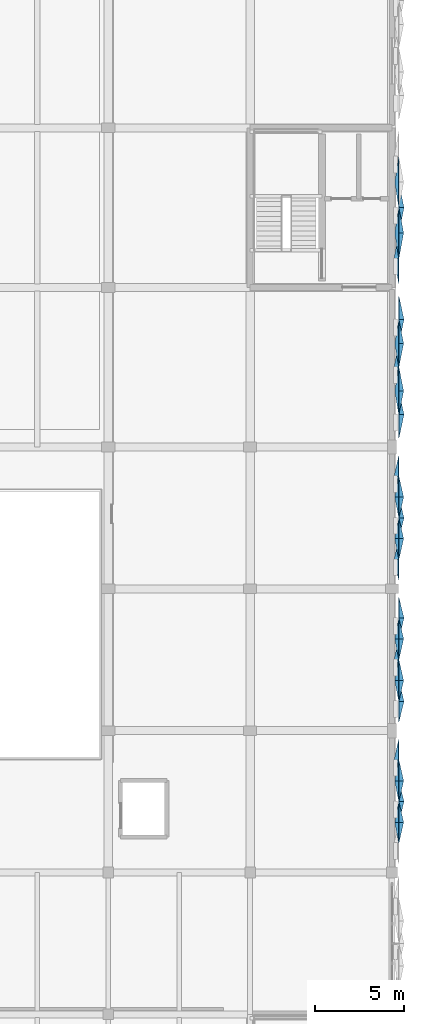
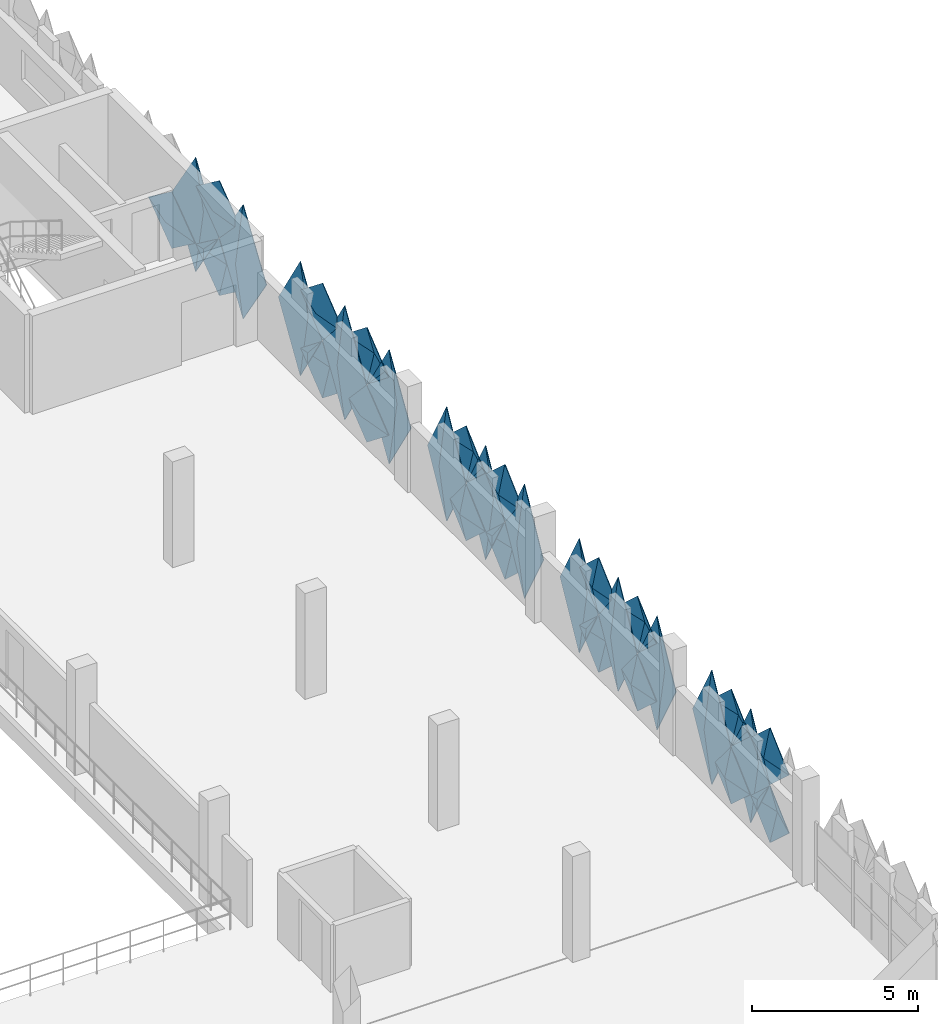
# One storey, part 100 of 123: 32 plates.
"""IFC4 building model written with IfcOpenShell, lengths in metres."""

from ifc_helpers import new_model, si_unit, derived_unit, direction, frame, origin, place, context, subcontext, project, spatial, polygons, material, layer, layer_set, type_object, element, save


model = new_model("IFC4")

# Units and contexts
model_context = context("Model", 3, precision=1e-05, world=origin(), true_north=direction((0.0, 1.0)))
body_context = subcontext(model_context, "Body", "Model", "MODEL_VIEW")
ifc_project = project(units=[si_unit("LENGTHUNIT", "METRE"), si_unit("AREAUNIT", "SQUARE_METRE"), si_unit("VOLUMEUNIT", "CUBIC_METRE"), si_unit("PLANEANGLEUNIT", "RADIAN"), si_unit("MASSUNIT", "GRAM", prefix="KILO"), si_unit("THERMODYNAMICTEMPERATUREUNIT", "KELVIN"), derived_unit("THERMALTRANSMITTANCEUNIT", [(si_unit("POWERUNIT", "WATT"), 1), (si_unit("AREAUNIT", "SQUARE_METRE"), -1), (si_unit("THERMODYNAMICTEMPERATUREUNIT", "KELVIN"), -1)])], contexts=[model_context])

# Site, building, storey
site_placement = place(None, origin())
site = spatial("IfcSite", under=ifc_project, at=site_placement, CompositionType="ELEMENT")
building_placement = place(site_placement, origin())
building = spatial("IfcBuilding", under=site, at=building_placement, Name="Haiyu Intermodal Mobility Hub", CompositionType="ELEMENT")
storey_placement = place(building_placement, frame((0.0, 0.0, 5.60009765625)))
storey = spatial("IfcBuildingStorey", under=building, at=storey_placement, Name="L01", CompositionType="ELEMENT", Elevation=5.60009765625)

# Plates
ifc_material = material(Name="Anodised aluminium 6063-T6", Category="aluminium")
ifc_layer_1 = layer(ifc_material, 0.01806640625)
ifc_layer_set_1 = layer_set([ifc_layer_1], Name="Anodised aluminium 6063-T6")
plate_type_1 = type_object("IfcPlateType", Name="PLT-FC03", PredefinedType="USERDEFINED", material=ifc_layer_set_1)
plate_1_placement = place(storey_placement, origin())
element("IfcPlate", 1, at=plate_1_placement, inside=storey, type_object=plate_type_1, Name="PLT-PYR-1023", ObjectType="FACADE CASSETTE", PredefinedType="USERDEFINED", context=body_context, shape_type="Tessellation", body=[
    polygons([(210.39990234375, 82.826904296875, -0.52001953125), (210.39990234375, 83.97998046875, 0.52978515625), (210.39990234375, 82.826904296875, 1.579833984375), (210.39990234375, 81.673095703125, 0.52978515625), (210.659912109375, 82.826904296875, 0.52978515625), (210.3779296875, 82.826904296875, -0.52001953125), (210.3779296875, 83.97998046875, 0.52978515625), (210.3779296875, 82.826904296875, 1.579833984375), (210.3779296875, 81.673095703125, 0.52978515625), (210.637939453125, 82.826904296875, 0.52978515625)], [[[1, 2, 5]], [[2, 3, 5]], [[3, 4, 5]], [[4, 1, 5]], [[7, 6, 10]], [[8, 7, 10]], [[9, 8, 10]], [[6, 9, 10]], [[1, 6, 7, 2]], [[2, 7, 8, 3]], [[3, 8, 9, 4]], [[4, 9, 6, 1]]], closed=True),
])
plate_2_placement = place(storey_placement, origin())
element("IfcPlate", 2, at=plate_2_placement, inside=storey, type_object=plate_type_1, Name="PLT-PYR-1029", ObjectType="FACADE CASSETTE", PredefinedType="USERDEFINED", context=body_context, shape_type="Tessellation", body=[
    polygons([(210.39990234375, 89.653076171875, -0.510009765625), (210.39990234375, 90.806884765625, 1.599853515625), (210.39990234375, 89.653076171875, 3.7099609375), (210.39990234375, 88.5, 1.599853515625), (210.679931640625, 89.653076171875, 1.599853515625), (210.3779296875, 89.653076171875, -0.510009765625), (210.3779296875, 90.806884765625, 1.599853515625), (210.3779296875, 89.653076171875, 3.7099609375), (210.3779296875, 88.5, 1.599853515625), (210.657958984375, 89.653076171875, 1.599853515625)], [[[1, 2, 5]], [[2, 3, 5]], [[3, 4, 5]], [[4, 1, 5]], [[7, 6, 10]], [[8, 7, 10]], [[9, 8, 10]], [[6, 9, 10]], [[1, 6, 7, 2]], [[2, 7, 8, 3]], [[3, 8, 9, 4]], [[4, 9, 6, 1]]], closed=True),
])
plate_3_placement = place(storey_placement, origin())
element("IfcPlate", 3, at=plate_3_placement, inside=storey, type_object=plate_type_1, Name="PLT-PYR-1033", ObjectType="FACADE CASSETTE", PredefinedType="USERDEFINED", context=body_context, shape_type="Tessellation", body=[
    polygons([(210.39990234375, 93.173095703125, -0.52001953125), (210.39990234375, 94.326904296875, 0.52978515625), (210.39990234375, 93.173095703125, 1.579833984375), (210.39990234375, 92.02001953125, 0.52978515625), (210.659912109375, 93.173095703125, 0.52978515625), (210.3779296875, 93.173095703125, -0.52001953125), (210.3779296875, 94.326904296875, 0.52978515625), (210.3779296875, 93.173095703125, 1.579833984375), (210.3779296875, 92.02001953125, 0.52978515625), (210.637939453125, 93.173095703125, 0.52978515625)], [[[1, 2, 5]], [[2, 3, 5]], [[3, 4, 5]], [[4, 1, 5]], [[7, 6, 10]], [[8, 7, 10]], [[9, 8, 10]], [[6, 9, 10]], [[1, 6, 7, 2]], [[2, 7, 8, 3]], [[3, 8, 9, 4]], [[4, 9, 6, 1]]], closed=True),
])
plate_4_placement = place(storey_placement, origin())
element("IfcPlate", 4, at=plate_4_placement, inside=storey, type_object=plate_type_1, Name="PLT-PYR-1037", ObjectType="FACADE CASSETTE", PredefinedType="USERDEFINED", context=body_context, shape_type="Tessellation", body=[
    polygons([(210.39990234375, 98.826904296875, -0.52001953125), (210.39990234375, 99.97998046875, 0.52978515625), (210.39990234375, 98.826904296875, 1.579833984375), (210.39990234375, 97.673095703125, 0.52978515625), (210.659912109375, 98.826904296875, 0.52978515625), (210.3779296875, 98.826904296875, -0.52001953125), (210.3779296875, 99.97998046875, 0.52978515625), (210.3779296875, 98.826904296875, 1.579833984375), (210.3779296875, 97.673095703125, 0.52978515625), (210.637939453125, 98.826904296875, 0.52978515625)], [[[1, 2, 5]], [[2, 3, 5]], [[3, 4, 5]], [[4, 1, 5]], [[7, 6, 10]], [[8, 7, 10]], [[9, 8, 10]], [[6, 9, 10]], [[1, 6, 7, 2]], [[2, 7, 8, 3]], [[3, 8, 9, 4]], [[4, 9, 6, 1]]], closed=True),
])
plate_5_placement = place(storey_placement, origin())
element("IfcPlate", 5, at=plate_5_placement, inside=storey, type_object=plate_type_1, Name="PLT-PYR-1043", ObjectType="FACADE CASSETTE", PredefinedType="USERDEFINED", context=body_context, shape_type="Tessellation", body=[
    polygons([(210.39990234375, 105.820068359375, -0.510009765625), (210.39990234375, 107.139892578125, 1.599853515625), (210.39990234375, 105.820068359375, 3.7099609375), (210.39990234375, 104.5, 1.599853515625), (210.679931640625, 105.820068359375, 1.599853515625), (210.3779296875, 105.820068359375, -0.510009765625), (210.3779296875, 107.139892578125, 1.599853515625), (210.3779296875, 105.820068359375, 3.7099609375), (210.3779296875, 104.5, 1.599853515625), (210.657958984375, 105.820068359375, 1.599853515625)], [[[1, 2, 5]], [[2, 3, 5]], [[3, 4, 5]], [[4, 1, 5]], [[7, 6, 10]], [[8, 7, 10]], [[9, 8, 10]], [[6, 9, 10]], [[1, 6, 7, 2]], [[2, 7, 8, 3]], [[3, 8, 9, 4]], [[4, 9, 6, 1]]], closed=True),
])
plate_6_placement = place(storey_placement, origin())
element("IfcPlate", 6, at=plate_6_placement, inside=storey, type_object=plate_type_1, Name="PLT-PYR-1047", ObjectType="FACADE CASSETTE", PredefinedType="USERDEFINED", context=body_context, shape_type="Tessellation", body=[
    polygons([(210.39990234375, 109.840087890625, -0.52001953125), (210.39990234375, 111.159912109375, 0.52978515625), (210.39990234375, 109.840087890625, 1.579833984375), (210.39990234375, 108.52001953125, 0.52978515625), (210.659912109375, 109.840087890625, 0.52978515625), (210.3779296875, 109.840087890625, -0.52001953125), (210.3779296875, 111.159912109375, 0.52978515625), (210.3779296875, 109.840087890625, 1.579833984375), (210.3779296875, 108.52001953125, 0.52978515625), (210.637939453125, 109.840087890625, 0.52978515625)], [[[1, 2, 5]], [[2, 3, 5]], [[3, 4, 5]], [[4, 1, 5]], [[7, 6, 10]], [[8, 7, 10]], [[9, 8, 10]], [[6, 9, 10]], [[1, 6, 7, 2]], [[2, 7, 8, 3]], [[3, 8, 9, 4]], [[4, 9, 6, 1]]], closed=True),
])
plate_7_placement = place(storey_placement, origin())
element("IfcPlate", 7, at=plate_7_placement, inside=storey, type_object=plate_type_1, Name="PLT-PYR-1389", ObjectType="FACADE CASSETTE", PredefinedType="USERDEFINED", context=body_context, shape_type="Tessellation", body=[
    polygons([(210.39990234375, 116.06689453125, -0.52001953125), (210.39990234375, 117.47998046875, 0.52978515625), (210.39990234375, 116.06689453125, 1.579833984375), (210.39990234375, 114.653076171875, 0.52978515625), (210.659912109375, 116.06689453125, 0.52978515625), (210.3779296875, 116.06689453125, -0.52001953125), (210.3779296875, 117.47998046875, 0.52978515625), (210.3779296875, 116.06689453125, 1.579833984375), (210.3779296875, 114.653076171875, 0.52978515625), (210.637939453125, 116.06689453125, 0.52978515625)], [[[1, 2, 5]], [[2, 3, 5]], [[3, 4, 5]], [[4, 1, 5]], [[7, 6, 10]], [[8, 7, 10]], [[9, 8, 10]], [[6, 9, 10]], [[1, 6, 7, 2]], [[2, 7, 8, 3]], [[3, 8, 9, 4]], [[4, 9, 6, 1]]], closed=True),
])
ifc_layer_2 = layer(ifc_material, 0.02001953125)
ifc_layer_set_2 = layer_set([ifc_layer_2], Name="Anodised aluminium 6063-T6")
plate_type_2 = type_object("IfcPlateType", Name="PLT-FC04", PredefinedType="USERDEFINED", material=ifc_layer_set_2)
plate_8_placement = place(storey_placement, origin())
element("IfcPlate", 8, at=plate_8_placement, inside=storey, type_object=plate_type_2, Name="PLT-PYR-1026", ObjectType="FACADE CASSETTE", PredefinedType="USERDEFINED", context=body_context, shape_type="Tessellation", body=[
    polygons([(210.39990234375, 85.173095703125, -0.52001953125), (210.39990234375, 86.326904296875, 0.52978515625), (210.39990234375, 85.173095703125, 1.579833984375), (210.39990234375, 84.02001953125, 0.52978515625), (210.179931640625, 85.173095703125, 0.52978515625), (210.3779296875, 85.173095703125, -0.52001953125), (210.3779296875, 86.326904296875, 0.52978515625), (210.3779296875, 85.173095703125, 1.579833984375), (210.3779296875, 84.02001953125, 0.52978515625), (210.157958984375, 85.173095703125, 0.52978515625)], [[[1, 2, 5]], [[2, 3, 5]], [[3, 4, 5]], [[4, 1, 5]], [[7, 6, 10]], [[8, 7, 10]], [[9, 8, 10]], [[6, 9, 10]], [[1, 6, 7, 2]], [[2, 7, 8, 3]], [[3, 8, 9, 4]], [[4, 9, 6, 1]]], closed=True),
])
plate_9_placement = place(storey_placement, origin())
element("IfcPlate", 9, at=plate_9_placement, inside=storey, type_object=plate_type_2, Name="PLT-PYR-1030", ObjectType="FACADE CASSETTE", PredefinedType="USERDEFINED", context=body_context, shape_type="Tessellation", body=[
    polygons([(210.39990234375, 90.826904296875, -0.52001953125), (210.39990234375, 91.97998046875, 0.52978515625), (210.39990234375, 90.826904296875, 1.579833984375), (210.39990234375, 89.673095703125, 0.52978515625), (210.179931640625, 90.826904296875, 0.52978515625), (210.3779296875, 90.826904296875, -0.52001953125), (210.3779296875, 91.97998046875, 0.52978515625), (210.3779296875, 90.826904296875, 1.579833984375), (210.3779296875, 89.673095703125, 0.52978515625), (210.157958984375, 90.826904296875, 0.52978515625)], [[[1, 2, 5]], [[2, 3, 5]], [[3, 4, 5]], [[4, 1, 5]], [[7, 6, 10]], [[8, 7, 10]], [[9, 8, 10]], [[6, 9, 10]], [[1, 6, 7, 2]], [[2, 7, 8, 3]], [[3, 8, 9, 4]], [[4, 9, 6, 1]]], closed=True),
])
plate_10_placement = place(storey_placement, origin())
element("IfcPlate", 10, at=plate_10_placement, inside=storey, type_object=plate_type_2, Name="PLT-PYR-1036", ObjectType="FACADE CASSETTE", PredefinedType="USERDEFINED", context=body_context, shape_type="Tessellation", body=[
    polygons([(210.39990234375, 97.653076171875, -0.510009765625), (210.39990234375, 98.806884765625, 1.599853515625), (210.39990234375, 97.653076171875, 3.7099609375), (210.39990234375, 96.5, 1.599853515625), (210.139892578125, 97.653076171875, 1.599853515625), (210.3779296875, 97.653076171875, -0.510009765625), (210.3779296875, 98.806884765625, 1.599853515625), (210.3779296875, 97.653076171875, 3.7099609375), (210.3779296875, 96.5, 1.599853515625), (210.117919921875, 97.653076171875, 1.599853515625)], [[[1, 2, 5]], [[2, 3, 5]], [[3, 4, 5]], [[4, 1, 5]], [[7, 6, 10]], [[8, 7, 10]], [[9, 8, 10]], [[6, 9, 10]], [[1, 6, 7, 2]], [[2, 7, 8, 3]], [[3, 8, 9, 4]], [[4, 9, 6, 1]]], closed=True),
])
plate_11_placement = place(storey_placement, origin())
element("IfcPlate", 11, at=plate_11_placement, inside=storey, type_object=plate_type_2, Name="PLT-PYR-1040", ObjectType="FACADE CASSETTE", PredefinedType="USERDEFINED", context=body_context, shape_type="Tessellation", body=[
    polygons([(210.39990234375, 101.173095703125, -0.52001953125), (210.39990234375, 102.326904296875, 0.52978515625), (210.39990234375, 101.173095703125, 1.579833984375), (210.39990234375, 100.02001953125, 0.52978515625), (210.179931640625, 101.173095703125, 0.52978515625), (210.3779296875, 101.173095703125, -0.52001953125), (210.3779296875, 102.326904296875, 0.52978515625), (210.3779296875, 101.173095703125, 1.579833984375), (210.3779296875, 100.02001953125, 0.52978515625), (210.157958984375, 101.173095703125, 0.52978515625)], [[[1, 2, 5]], [[2, 3, 5]], [[3, 4, 5]], [[4, 1, 5]], [[7, 6, 10]], [[8, 7, 10]], [[9, 8, 10]], [[6, 9, 10]], [[1, 6, 7, 2]], [[2, 7, 8, 3]], [[3, 8, 9, 4]], [[4, 9, 6, 1]]], closed=True),
])
plate_12_placement = place(storey_placement, origin())
element("IfcPlate", 12, at=plate_12_placement, inside=storey, type_object=plate_type_2, Name="PLT-PYR-1044", ObjectType="FACADE CASSETTE", PredefinedType="USERDEFINED", context=body_context, shape_type="Tessellation", body=[
    polygons([(210.39990234375, 107.159912109375, -0.52001953125), (210.39990234375, 108.47998046875, 0.52978515625), (210.39990234375, 107.159912109375, 1.579833984375), (210.39990234375, 105.840087890625, 0.52978515625), (210.179931640625, 107.159912109375, 0.52978515625), (210.3779296875, 107.159912109375, -0.52001953125), (210.3779296875, 108.47998046875, 0.52978515625), (210.3779296875, 107.159912109375, 1.579833984375), (210.3779296875, 105.840087890625, 0.52978515625), (210.157958984375, 107.159912109375, 0.52978515625)], [[[1, 2, 5]], [[2, 3, 5]], [[3, 4, 5]], [[4, 1, 5]], [[7, 6, 10]], [[8, 7, 10]], [[9, 8, 10]], [[6, 9, 10]], [[1, 6, 7, 2]], [[2, 7, 8, 3]], [[3, 8, 9, 4]], [[4, 9, 6, 1]]], closed=True),
])
plate_13_placement = place(storey_placement, origin())
element("IfcPlate", 13, at=plate_13_placement, inside=storey, type_object=plate_type_2, Name="PLT-PYR-1388", ObjectType="FACADE CASSETTE", PredefinedType="USERDEFINED", context=body_context, shape_type="Tessellation", body=[
    polygons([(210.39990234375, 114.633056640625, -0.510009765625), (210.39990234375, 116.047119140625, 1.599853515625), (210.39990234375, 114.633056640625, 3.7099609375), (210.39990234375, 113.219970703125, 1.599853515625), (210.139892578125, 114.633056640625, 1.599853515625), (210.3779296875, 114.633056640625, -0.510009765625), (210.3779296875, 116.047119140625, 1.599853515625), (210.3779296875, 114.633056640625, 3.7099609375), (210.3779296875, 113.219970703125, 1.599853515625), (210.117919921875, 114.633056640625, 1.599853515625)], [[[1, 2, 5]], [[2, 3, 5]], [[3, 4, 5]], [[4, 1, 5]], [[7, 6, 10]], [[8, 7, 10]], [[9, 8, 10]], [[6, 9, 10]], [[1, 6, 7, 2]], [[2, 7, 8, 3]], [[3, 8, 9, 4]], [[4, 9, 6, 1]]], closed=True),
])
plate_14_placement = place(storey_placement, origin())
element("IfcPlate", 14, at=plate_14_placement, inside=storey, type_object=plate_type_2, Name="PLT-PYR-1392", ObjectType="FACADE CASSETTE", PredefinedType="USERDEFINED", context=body_context, shape_type="Tessellation", body=[
    polygons([(210.39990234375, 118.93310546875, -0.52001953125), (210.39990234375, 120.346923828125, 0.52978515625), (210.39990234375, 118.93310546875, 1.579833984375), (210.39990234375, 117.52001953125, 0.52978515625), (210.179931640625, 118.93310546875, 0.52978515625), (210.3779296875, 118.93310546875, -0.52001953125), (210.3779296875, 120.346923828125, 0.52978515625), (210.3779296875, 118.93310546875, 1.579833984375), (210.3779296875, 117.52001953125, 0.52978515625), (210.157958984375, 118.93310546875, 0.52978515625)], [[[1, 2, 5]], [[2, 3, 5]], [[3, 4, 5]], [[4, 1, 5]], [[7, 6, 10]], [[8, 7, 10]], [[9, 8, 10]], [[6, 9, 10]], [[1, 6, 7, 2]], [[2, 7, 8, 3]], [[3, 8, 9, 4]], [[4, 9, 6, 1]]], closed=True),
])
ifc_layer_3 = layer(ifc_material, 0.01806640625)
ifc_layer_set_3 = layer_set([ifc_layer_3], Name="Anodised aluminium 6063-T6")
plate_type_3 = type_object("IfcPlateType", Name="PLT-FC05", PredefinedType="USERDEFINED", material=ifc_layer_set_3)
plate_15_placement = place(storey_placement, origin())
element("IfcPlate", 15, at=plate_15_placement, inside=storey, type_object=plate_type_3, Name="PLT-PYR-1025", ObjectType="FACADE CASSETTE", PredefinedType="USERDEFINED", context=body_context, shape_type="Tessellation", body=[
    polygons([(210.39990234375, 84.0, -0.510009765625), (210.39990234375, 85.153076171875, 1.599853515625), (210.39990234375, 84.0, 3.7099609375), (210.39990234375, 82.846923828125, 1.599853515625), (210.679931640625, 84.0, 1.599853515625), (210.3779296875, 84.0, -0.510009765625), (210.3779296875, 85.153076171875, 1.599853515625), (210.3779296875, 84.0, 3.7099609375), (210.3779296875, 82.846923828125, 1.599853515625), (210.657958984375, 84.0, 1.599853515625)], [[[1, 2, 5]], [[2, 3, 5]], [[3, 4, 5]], [[4, 1, 5]], [[7, 6, 10]], [[8, 7, 10]], [[9, 8, 10]], [[6, 9, 10]], [[1, 6, 7, 2]], [[2, 7, 8, 3]], [[3, 8, 9, 4]], [[4, 9, 6, 1]]], closed=True),
])
plate_16_placement = place(storey_placement, origin())
element("IfcPlate", 16, at=plate_16_placement, inside=storey, type_object=plate_type_3, Name="PLT-PYR-1027", ObjectType="FACADE CASSETTE", PredefinedType="USERDEFINED", context=body_context, shape_type="Tessellation", body=[
    polygons([(210.39990234375, 85.173095703125, 1.619873046875), (210.39990234375, 86.326904296875, 2.669921875), (210.39990234375, 85.173095703125, 3.719970703125), (210.39990234375, 84.02001953125, 2.669921875), (210.659912109375, 85.173095703125, 2.669921875), (210.3779296875, 85.173095703125, 1.619873046875), (210.3779296875, 86.326904296875, 2.669921875), (210.3779296875, 85.173095703125, 3.719970703125), (210.3779296875, 84.02001953125, 2.669921875), (210.637939453125, 85.173095703125, 2.669921875)], [[[1, 2, 5]], [[2, 3, 5]], [[3, 4, 5]], [[4, 1, 5]], [[7, 6, 10]], [[8, 7, 10]], [[9, 8, 10]], [[6, 9, 10]], [[1, 6, 7, 2]], [[2, 7, 8, 3]], [[3, 8, 9, 4]], [[4, 9, 6, 1]]], closed=True),
])
plate_17_placement = place(storey_placement, origin())
element("IfcPlate", 17, at=plate_17_placement, inside=storey, type_object=plate_type_3, Name="PLT-PYR-1031", ObjectType="FACADE CASSETTE", PredefinedType="USERDEFINED", context=body_context, shape_type="Tessellation", body=[
    polygons([(210.39990234375, 90.826904296875, 1.619873046875), (210.39990234375, 91.97998046875, 2.669921875), (210.39990234375, 90.826904296875, 3.719970703125), (210.39990234375, 89.673095703125, 2.669921875), (210.659912109375, 90.826904296875, 2.669921875), (210.3779296875, 90.826904296875, 1.619873046875), (210.3779296875, 91.97998046875, 2.669921875), (210.3779296875, 90.826904296875, 3.719970703125), (210.3779296875, 89.673095703125, 2.669921875), (210.637939453125, 90.826904296875, 2.669921875)], [[[1, 2, 5]], [[2, 3, 5]], [[3, 4, 5]], [[4, 1, 5]], [[7, 6, 10]], [[8, 7, 10]], [[9, 8, 10]], [[6, 9, 10]], [[1, 6, 7, 2]], [[2, 7, 8, 3]], [[3, 8, 9, 4]], [[4, 9, 6, 1]]], closed=True),
])
plate_18_placement = place(storey_placement, origin())
element("IfcPlate", 18, at=plate_18_placement, inside=storey, type_object=plate_type_3, Name="PLT-PYR-1039", ObjectType="FACADE CASSETTE", PredefinedType="USERDEFINED", context=body_context, shape_type="Tessellation", body=[
    polygons([(210.39990234375, 100.0, -0.510009765625), (210.39990234375, 101.153076171875, 1.599853515625), (210.39990234375, 100.0, 3.7099609375), (210.39990234375, 98.846923828125, 1.599853515625), (210.679931640625, 100.0, 1.599853515625), (210.3779296875, 100.0, -0.510009765625), (210.3779296875, 101.153076171875, 1.599853515625), (210.3779296875, 100.0, 3.7099609375), (210.3779296875, 98.846923828125, 1.599853515625), (210.657958984375, 100.0, 1.599853515625)], [[[1, 2, 5]], [[2, 3, 5]], [[3, 4, 5]], [[4, 1, 5]], [[7, 6, 10]], [[8, 7, 10]], [[9, 8, 10]], [[6, 9, 10]], [[1, 6, 7, 2]], [[2, 7, 8, 3]], [[3, 8, 9, 4]], [[4, 9, 6, 1]]], closed=True),
])
plate_19_placement = place(storey_placement, origin())
element("IfcPlate", 19, at=plate_19_placement, inside=storey, type_object=plate_type_3, Name="PLT-PYR-1041", ObjectType="FACADE CASSETTE", PredefinedType="USERDEFINED", context=body_context, shape_type="Tessellation", body=[
    polygons([(210.39990234375, 101.173095703125, 1.619873046875), (210.39990234375, 102.326904296875, 2.669921875), (210.39990234375, 101.173095703125, 3.719970703125), (210.39990234375, 100.02001953125, 2.669921875), (210.659912109375, 101.173095703125, 2.669921875), (210.3779296875, 101.173095703125, 1.619873046875), (210.3779296875, 102.326904296875, 2.669921875), (210.3779296875, 101.173095703125, 3.719970703125), (210.3779296875, 100.02001953125, 2.669921875), (210.637939453125, 101.173095703125, 2.669921875)], [[[1, 2, 5]], [[2, 3, 5]], [[3, 4, 5]], [[4, 1, 5]], [[7, 6, 10]], [[8, 7, 10]], [[9, 8, 10]], [[6, 9, 10]], [[1, 6, 7, 2]], [[2, 7, 8, 3]], [[3, 8, 9, 4]], [[4, 9, 6, 1]]], closed=True),
])
plate_20_placement = place(storey_placement, origin())
element("IfcPlate", 20, at=plate_20_placement, inside=storey, type_object=plate_type_3, Name="PLT-PYR-1045", ObjectType="FACADE CASSETTE", PredefinedType="USERDEFINED", context=body_context, shape_type="Tessellation", body=[
    polygons([(210.39990234375, 107.159912109375, 1.619873046875), (210.39990234375, 108.47998046875, 2.669921875), (210.39990234375, 107.159912109375, 3.719970703125), (210.39990234375, 105.840087890625, 2.669921875), (210.659912109375, 107.159912109375, 2.669921875), (210.3779296875, 107.159912109375, 1.619873046875), (210.3779296875, 108.47998046875, 2.669921875), (210.3779296875, 107.159912109375, 3.719970703125), (210.3779296875, 105.840087890625, 2.669921875), (210.637939453125, 107.159912109375, 2.669921875)], [[[1, 2, 5]], [[2, 3, 5]], [[3, 4, 5]], [[4, 1, 5]], [[7, 6, 10]], [[8, 7, 10]], [[9, 8, 10]], [[6, 9, 10]], [[1, 6, 7, 2]], [[2, 7, 8, 3]], [[3, 8, 9, 4]], [[4, 9, 6, 1]]], closed=True),
])
plate_21_placement = place(storey_placement, origin())
element("IfcPlate", 21, at=plate_21_placement, inside=storey, type_object=plate_type_3, Name="PLT-PYR-1391", ObjectType="FACADE CASSETTE", PredefinedType="USERDEFINED", context=body_context, shape_type="Tessellation", body=[
    polygons([(210.39990234375, 117.5, -0.510009765625), (210.39990234375, 118.9130859375, 1.599853515625), (210.39990234375, 117.5, 3.7099609375), (210.39990234375, 116.0869140625, 1.599853515625), (210.679931640625, 117.5, 1.599853515625), (210.3779296875, 117.5, -0.510009765625), (210.3779296875, 118.9130859375, 1.599853515625), (210.3779296875, 117.5, 3.7099609375), (210.3779296875, 116.0869140625, 1.599853515625), (210.657958984375, 117.5, 1.599853515625)], [[[1, 2, 5]], [[2, 3, 5]], [[3, 4, 5]], [[4, 1, 5]], [[7, 6, 10]], [[8, 7, 10]], [[9, 8, 10]], [[6, 9, 10]], [[1, 6, 7, 2]], [[2, 7, 8, 3]], [[3, 8, 9, 4]], [[4, 9, 6, 1]]], closed=True),
])
ifc_layer_4 = layer(ifc_material, 0.02001953125)
ifc_layer_set_4 = layer_set([ifc_layer_4], Name="Anodised aluminium 6063-T6")
plate_type_4 = type_object("IfcPlateType", Name="PLT-FC06", PredefinedType="USERDEFINED", material=ifc_layer_set_4)
plate_22_placement = place(storey_placement, origin())
element("IfcPlate", 22, at=plate_22_placement, inside=storey, type_object=plate_type_4, Name="PLT-PYR-1024", ObjectType="FACADE CASSETTE", PredefinedType="USERDEFINED", context=body_context, shape_type="Tessellation", body=[
    polygons([(210.39990234375, 82.826904296875, 1.619873046875), (210.39990234375, 83.97998046875, 2.669921875), (210.39990234375, 82.826904296875, 3.719970703125), (210.39990234375, 81.673095703125, 2.669921875), (210.179931640625, 82.826904296875, 2.669921875), (210.3779296875, 82.826904296875, 1.619873046875), (210.3779296875, 83.97998046875, 2.669921875), (210.3779296875, 82.826904296875, 3.719970703125), (210.3779296875, 81.673095703125, 2.669921875), (210.157958984375, 82.826904296875, 2.669921875)], [[[1, 2, 5]], [[2, 3, 5]], [[3, 4, 5]], [[4, 1, 5]], [[7, 6, 10]], [[8, 7, 10]], [[9, 8, 10]], [[6, 9, 10]], [[1, 6, 7, 2]], [[2, 7, 8, 3]], [[3, 8, 9, 4]], [[4, 9, 6, 1]]], closed=True),
])
plate_23_placement = place(storey_placement, origin())
element("IfcPlate", 23, at=plate_23_placement, inside=storey, type_object=plate_type_4, Name="PLT-PYR-1032", ObjectType="FACADE CASSETTE", PredefinedType="USERDEFINED", context=body_context, shape_type="Tessellation", body=[
    polygons([(210.39990234375, 92.0, -0.510009765625), (210.39990234375, 93.153076171875, 1.599853515625), (210.39990234375, 92.0, 3.7099609375), (210.39990234375, 90.846923828125, 1.599853515625), (210.139892578125, 92.0, 1.599853515625), (210.3779296875, 92.0, -0.510009765625), (210.3779296875, 93.153076171875, 1.599853515625), (210.3779296875, 92.0, 3.7099609375), (210.3779296875, 90.846923828125, 1.599853515625), (210.117919921875, 92.0, 1.599853515625)], [[[1, 2, 5]], [[2, 3, 5]], [[3, 4, 5]], [[4, 1, 5]], [[7, 6, 10]], [[8, 7, 10]], [[9, 8, 10]], [[6, 9, 10]], [[1, 6, 7, 2]], [[2, 7, 8, 3]], [[3, 8, 9, 4]], [[4, 9, 6, 1]]], closed=True),
])
plate_24_placement = place(storey_placement, origin())
element("IfcPlate", 24, at=plate_24_placement, inside=storey, type_object=plate_type_4, Name="PLT-PYR-1034", ObjectType="FACADE CASSETTE", PredefinedType="USERDEFINED", context=body_context, shape_type="Tessellation", body=[
    polygons([(210.39990234375, 93.173095703125, 1.619873046875), (210.39990234375, 94.326904296875, 2.669921875), (210.39990234375, 93.173095703125, 3.719970703125), (210.39990234375, 92.02001953125, 2.669921875), (210.179931640625, 93.173095703125, 2.669921875), (210.3779296875, 93.173095703125, 1.619873046875), (210.3779296875, 94.326904296875, 2.669921875), (210.3779296875, 93.173095703125, 3.719970703125), (210.3779296875, 92.02001953125, 2.669921875), (210.157958984375, 93.173095703125, 2.669921875)], [[[1, 2, 5]], [[2, 3, 5]], [[3, 4, 5]], [[4, 1, 5]], [[7, 6, 10]], [[8, 7, 10]], [[9, 8, 10]], [[6, 9, 10]], [[1, 6, 7, 2]], [[2, 7, 8, 3]], [[3, 8, 9, 4]], [[4, 9, 6, 1]]], closed=True),
])
plate_25_placement = place(storey_placement, origin())
element("IfcPlate", 25, at=plate_25_placement, inside=storey, type_object=plate_type_4, Name="PLT-PYR-1038", ObjectType="FACADE CASSETTE", PredefinedType="USERDEFINED", context=body_context, shape_type="Tessellation", body=[
    polygons([(210.39990234375, 98.826904296875, 1.619873046875), (210.39990234375, 99.97998046875, 2.669921875), (210.39990234375, 98.826904296875, 3.719970703125), (210.39990234375, 97.673095703125, 2.669921875), (210.179931640625, 98.826904296875, 2.669921875), (210.3779296875, 98.826904296875, 1.619873046875), (210.3779296875, 99.97998046875, 2.669921875), (210.3779296875, 98.826904296875, 3.719970703125), (210.3779296875, 97.673095703125, 2.669921875), (210.157958984375, 98.826904296875, 2.669921875)], [[[1, 2, 5]], [[2, 3, 5]], [[3, 4, 5]], [[4, 1, 5]], [[7, 6, 10]], [[8, 7, 10]], [[9, 8, 10]], [[6, 9, 10]], [[1, 6, 7, 2]], [[2, 7, 8, 3]], [[3, 8, 9, 4]], [[4, 9, 6, 1]]], closed=True),
])
plate_26_placement = place(storey_placement, origin())
element("IfcPlate", 26, at=plate_26_placement, inside=storey, type_object=plate_type_4, Name="PLT-PYR-1046", ObjectType="FACADE CASSETTE", PredefinedType="USERDEFINED", context=body_context, shape_type="Tessellation", body=[
    polygons([(210.39990234375, 108.5, -0.510009765625), (210.39990234375, 109.820068359375, 1.599853515625), (210.39990234375, 108.5, 3.7099609375), (210.39990234375, 107.179931640625, 1.599853515625), (210.139892578125, 108.5, 1.599853515625), (210.3779296875, 108.5, -0.510009765625), (210.3779296875, 109.820068359375, 1.599853515625), (210.3779296875, 108.5, 3.7099609375), (210.3779296875, 107.179931640625, 1.599853515625), (210.117919921875, 108.5, 1.599853515625)], [[[1, 2, 5]], [[2, 3, 5]], [[3, 4, 5]], [[4, 1, 5]], [[7, 6, 10]], [[8, 7, 10]], [[9, 8, 10]], [[6, 9, 10]], [[1, 6, 7, 2]], [[2, 7, 8, 3]], [[3, 8, 9, 4]], [[4, 9, 6, 1]]], closed=True),
])
plate_27_placement = place(storey_placement, origin())
element("IfcPlate", 27, at=plate_27_placement, inside=storey, type_object=plate_type_4, Name="PLT-PYR-1048", ObjectType="FACADE CASSETTE", PredefinedType="USERDEFINED", context=body_context, shape_type="Tessellation", body=[
    polygons([(210.39990234375, 109.840087890625, 1.619873046875), (210.39990234375, 111.159912109375, 2.669921875), (210.39990234375, 109.840087890625, 3.719970703125), (210.39990234375, 108.52001953125, 2.669921875), (210.179931640625, 109.840087890625, 2.669921875), (210.3779296875, 109.840087890625, 1.619873046875), (210.3779296875, 111.159912109375, 2.669921875), (210.3779296875, 109.840087890625, 3.719970703125), (210.3779296875, 108.52001953125, 2.669921875), (210.157958984375, 109.840087890625, 2.669921875)], [[[1, 2, 5]], [[2, 3, 5]], [[3, 4, 5]], [[4, 1, 5]], [[7, 6, 10]], [[8, 7, 10]], [[9, 8, 10]], [[6, 9, 10]], [[1, 6, 7, 2]], [[2, 7, 8, 3]], [[3, 8, 9, 4]], [[4, 9, 6, 1]]], closed=True),
])
plate_28_placement = place(storey_placement, origin())
element("IfcPlate", 28, at=plate_28_placement, inside=storey, type_object=plate_type_4, Name="PLT-PYR-1390", ObjectType="FACADE CASSETTE", PredefinedType="USERDEFINED", context=body_context, shape_type="Tessellation", body=[
    polygons([(210.39990234375, 116.06689453125, 1.619873046875), (210.39990234375, 117.47998046875, 2.669921875), (210.39990234375, 116.06689453125, 3.719970703125), (210.39990234375, 114.653076171875, 2.669921875), (210.179931640625, 116.06689453125, 2.669921875), (210.3779296875, 116.06689453125, 1.619873046875), (210.3779296875, 117.47998046875, 2.669921875), (210.3779296875, 116.06689453125, 3.719970703125), (210.3779296875, 114.653076171875, 2.669921875), (210.157958984375, 116.06689453125, 2.669921875)], [[[1, 2, 5]], [[2, 3, 5]], [[3, 4, 5]], [[4, 1, 5]], [[7, 6, 10]], [[8, 7, 10]], [[9, 8, 10]], [[6, 9, 10]], [[1, 6, 7, 2]], [[2, 7, 8, 3]], [[3, 8, 9, 4]], [[4, 9, 6, 1]]], closed=True),
])
ifc_layer_5 = layer(ifc_material, 0.02197265625)
ifc_layer_set_5 = layer_set([ifc_layer_5], Name="Anodised aluminium 6063-T6")
plate_type_5 = type_object("IfcPlateType", Name="PLT-FC07", PredefinedType="USERDEFINED", material=ifc_layer_set_5)
plate_29_placement = place(storey_placement, origin())
element("IfcPlate", 29, at=plate_29_placement, inside=storey, type_object=plate_type_5, Name="PLT-PYR-1035", ObjectType="FACADE CASSETTE", PredefinedType="USERDEFINED", context=body_context, shape_type="Tessellation", body=[
    polygons([(210.39990234375, 94.346923828125, -0.510009765625), (210.39990234375, 95.5, 1.599853515625), (210.39990234375, 94.346923828125, 3.7099609375), (210.39990234375, 93.193115234375, 1.599853515625), (210.679931640625, 94.346923828125, 1.599853515625), (210.3779296875, 94.346923828125, -0.510009765625), (210.3779296875, 95.5, 1.599853515625), (210.3779296875, 94.346923828125, 3.7099609375), (210.3779296875, 93.193115234375, 1.599853515625), (210.657958984375, 94.346923828125, 1.599853515625)], [[[1, 2, 5]], [[2, 3, 5]], [[3, 4, 5]], [[4, 1, 5]], [[7, 6, 10]], [[8, 7, 10]], [[9, 8, 10]], [[6, 9, 10]], [[1, 6, 7, 2]], [[2, 7, 8, 3]], [[3, 8, 9, 4]], [[4, 9, 6, 1]]], closed=True),
])
plate_30_placement = place(storey_placement, origin())
element("IfcPlate", 30, at=plate_30_placement, inside=storey, type_object=plate_type_5, Name="PLT-PYR-1049", ObjectType="FACADE CASSETTE", PredefinedType="USERDEFINED", context=body_context, shape_type="Tessellation", body=[
    polygons([(210.39990234375, 111.179931640625, -0.510009765625), (210.39990234375, 112.5, 1.599853515625), (210.39990234375, 111.179931640625, 3.7099609375), (210.39990234375, 109.860107421875, 1.599853515625), (210.679931640625, 111.179931640625, 1.599853515625), (210.3779296875, 111.179931640625, -0.510009765625), (210.3779296875, 112.5, 1.599853515625), (210.3779296875, 111.179931640625, 3.7099609375), (210.3779296875, 109.860107421875, 1.599853515625), (210.657958984375, 111.179931640625, 1.599853515625)], [[[1, 2, 5]], [[2, 3, 5]], [[3, 4, 5]], [[4, 1, 5]], [[7, 6, 10]], [[8, 7, 10]], [[9, 8, 10]], [[6, 9, 10]], [[1, 6, 7, 2]], [[2, 7, 8, 3]], [[3, 8, 9, 4]], [[4, 9, 6, 1]]], closed=True),
])
ifc_layer_6 = layer(ifc_material, 0.02392578125)
ifc_layer_set_6 = layer_set([ifc_layer_6], Name="Anodised aluminium 6063-T6")
plate_type_6 = type_object("IfcPlateType", Name="PLT-FC08", PredefinedType="USERDEFINED", material=ifc_layer_set_6)
plate_31_placement = place(storey_placement, origin())
element("IfcPlate", 31, at=plate_31_placement, inside=storey, type_object=plate_type_6, Name="PLT-PYR-1028", ObjectType="FACADE CASSETTE", PredefinedType="USERDEFINED", context=body_context, shape_type="Tessellation", body=[
    polygons([(210.39990234375, 86.346923828125, -0.510009765625), (210.39990234375, 87.5, 1.599853515625), (210.39990234375, 86.346923828125, 3.7099609375), (210.39990234375, 85.193115234375, 1.599853515625), (210.139892578125, 86.346923828125, 1.599853515625), (210.3779296875, 86.346923828125, -0.510009765625), (210.3779296875, 87.5, 1.599853515625), (210.3779296875, 86.346923828125, 3.7099609375), (210.3779296875, 85.193115234375, 1.599853515625), (210.117919921875, 86.346923828125, 1.599853515625)], [[[1, 2, 5]], [[2, 3, 5]], [[3, 4, 5]], [[4, 1, 5]], [[7, 6, 10]], [[8, 7, 10]], [[9, 8, 10]], [[6, 9, 10]], [[1, 6, 7, 2]], [[2, 7, 8, 3]], [[3, 8, 9, 4]], [[4, 9, 6, 1]]], closed=True),
])
plate_32_placement = place(storey_placement, origin())
element("IfcPlate", 32, at=plate_32_placement, inside=storey, type_object=plate_type_6, Name="PLT-PYR-1042", ObjectType="FACADE CASSETTE", PredefinedType="USERDEFINED", context=body_context, shape_type="Tessellation", body=[
    polygons([(210.39990234375, 102.346923828125, -0.510009765625), (210.39990234375, 103.5, 1.599853515625), (210.39990234375, 102.346923828125, 3.7099609375), (210.39990234375, 101.193115234375, 1.599853515625), (210.139892578125, 102.346923828125, 1.599853515625), (210.3779296875, 102.346923828125, -0.510009765625), (210.3779296875, 103.5, 1.599853515625), (210.3779296875, 102.346923828125, 3.7099609375), (210.3779296875, 101.193115234375, 1.599853515625), (210.117919921875, 102.346923828125, 1.599853515625)], [[[1, 2, 5]], [[2, 3, 5]], [[3, 4, 5]], [[4, 1, 5]], [[7, 6, 10]], [[8, 7, 10]], [[9, 8, 10]], [[6, 9, 10]], [[1, 6, 7, 2]], [[2, 7, 8, 3]], [[3, 8, 9, 4]], [[4, 9, 6, 1]]], closed=True),
])

save(model, "model.ifc")
